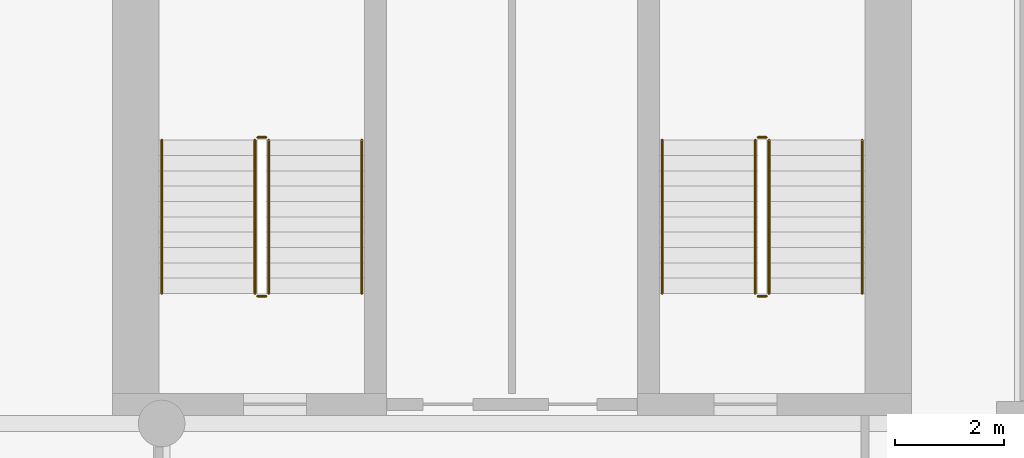
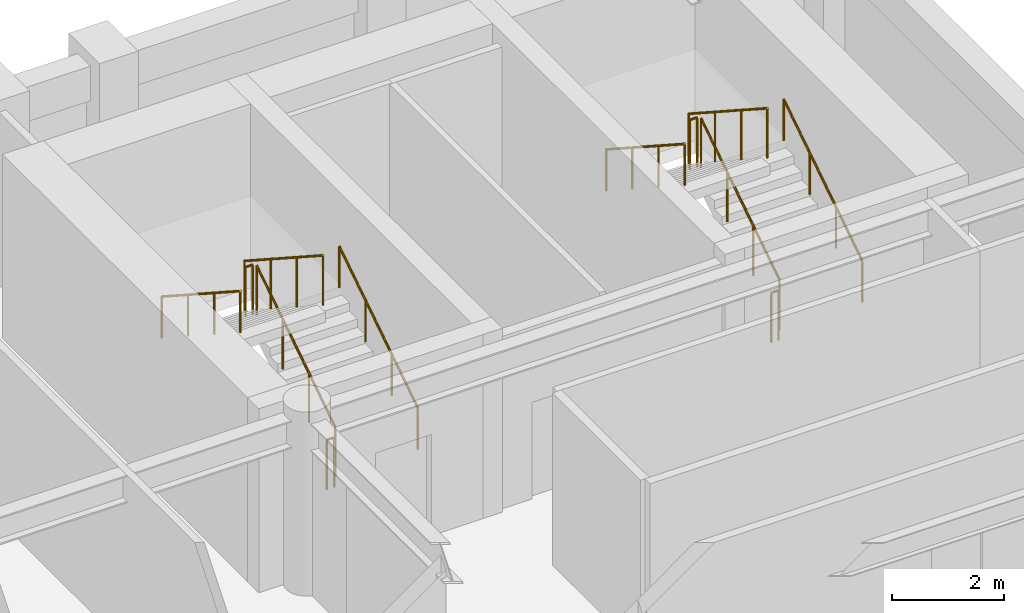
# One storey, part 8 of 8: 12 railings.
"""IFC4 building model written with IfcOpenShell, lengths in metres."""

from ifc_helpers import new_model, si_unit, direction, frame, origin, origin_2d, place, context, subcontext, project, spatial, circle, extrude, material, type_object, element, save


model = new_model("IFC4")

# Units and contexts
model_context = context("Model", 3, precision=1e-05, world=origin(), true_north=direction((0.0, 1.0)))
body_context = subcontext(model_context, "Body", "Model", "MODEL_VIEW")
ifc_project = project(units=[si_unit("LENGTHUNIT", "METRE"), si_unit("AREAUNIT", "SQUARE_METRE"), si_unit("VOLUMEUNIT", "CUBIC_METRE"), si_unit("PLANEANGLEUNIT", "RADIAN"), si_unit("MASSUNIT", "GRAM", prefix="KILO")], contexts=[model_context])

# Site, building, storey
site_placement = place(None, origin())
site = spatial("IfcSite", under=ifc_project, at=site_placement, CompositionType="ELEMENT")
building_placement = place(site_placement, origin())
building = spatial("IfcBuilding", under=site, at=building_placement, Name="Sulina Concourse Tower", CompositionType="ELEMENT")
storey_placement = place(building_placement, frame((0.0, 0.0, 178.60009765625)))
storey = spatial("IfcBuildingStorey", under=building, at=storey_placement, Name="L43", CompositionType="ELEMENT", Elevation=178.60009765625)

# Railings
ifc_material_1 = material(Name="Galvanised steel railing", Category="steel")
railing_type_1 = type_object("IfcRailingType", Name="Core Stair Steel Guardrail 1150mm", PredefinedType="GUARDRAIL", material=ifc_material_1)
railing_1_placement = place(storey_placement, frame((43.554931640625, 36.375, 0.181640625)))
element("IfcRailing", 1, at=railing_1_placement, inside=storey, type_object=railing_type_1, Name="L43 ST-3 stair guard 1", PredefinedType="GUARDRAIL", context=body_context, shape_type="SweptSolid", body=[
    extrude(circle(Radius=0.02392578125, at=origin_2d()), frame((0.0, 0.0, 1.076171875), z_axis=(0.0, 0.838672427954, 0.544636170843), x_axis=(-1.0, 0.0, 0.0)), (0.0, 0.0, 1.0), 3.338623046875),
    extrude(circle(Radius=0.02099609375, at=origin_2d()), origin(), (0.0, 0.0, 1.0), 1.052001953125),
    extrude(circle(Radius=0.02099609375, at=origin_2d()), frame((0.0, 0.933349609375, 0.606201171875)), (0.0, 0.0, 1.0), 1.052001953125),
    extrude(circle(Radius=0.02099609375, at=origin_2d()), frame((0.0, 1.86669921875, 1.212158203125)), (0.0, 0.0, 1.0), 1.052001953125),
    extrude(circle(Radius=0.02099609375, at=origin_2d()), frame((0.0, 2.800048828125, 1.818359375)), (0.0, 0.0, 1.0), 1.052001953125),
])
railing_2_placement = place(storey_placement, frame((43.5048828125, 39.22509765625, 2.0)))
element("IfcRailing", 2, at=railing_2_placement, inside=storey, type_object=railing_type_1, Name="L43 ST-3 stair guard 2", PredefinedType="GUARDRAIL", context=body_context, shape_type="SweptSolid", body=[
    extrude(circle(Radius=0.02392578125, at=origin_2d()), frame((0.0, 0.0, 1.076171875), z_axis=(-1.0, 0.0, 0.0), x_axis=(0.0, -1.0, 0.0)), (0.0, 0.0, 1.0), 0.14990234375),
    extrude(circle(Radius=0.02099609375, at=origin_2d()), origin(), (0.0, 0.0, 1.0), 1.052001953125),
    extrude(circle(Radius=0.02099609375, at=origin_2d()), frame((-0.14990234375, 0.0, 0.0)), (0.0, 0.0, 1.0), 1.052001953125),
])
railing_3_placement = place(storey_placement, frame((43.304931640625, 39.175048828125, 2.181640625)))
element("IfcRailing", 3, at=railing_3_placement, inside=storey, type_object=railing_type_1, Name="L43 ST-3 stair guard 3", PredefinedType="GUARDRAIL", context=body_context, shape_type="SweptSolid", body=[
    extrude(circle(Radius=0.02392578125, at=origin_2d()), frame((0.0, 0.0, 1.076171875), z_axis=(0.0, -0.838672427954, 0.544636170843), x_axis=(1.0, 0.0, 0.0)), (0.0, 0.0, 1.0), 3.338623046875),
    extrude(circle(Radius=0.02099609375, at=origin_2d()), origin(), (0.0, 0.0, 1.0), 1.052001953125),
    extrude(circle(Radius=0.02099609375, at=origin_2d()), frame((0.0, -0.933349609375, 0.606201171875)), (0.0, 0.0, 1.0), 1.052001953125),
    extrude(circle(Radius=0.02099609375, at=origin_2d()), frame((0.0, -1.86669921875, 1.212158203125)), (0.0, 0.0, 1.0), 1.052001953125),
    extrude(circle(Radius=0.02099609375, at=origin_2d()), frame((0.0, -2.800048828125, 1.818359375)), (0.0, 0.0, 1.0), 1.052001953125),
])
railing_4_placement = place(storey_placement, frame((43.5048828125, 36.324951171875, 0.0)))
element("IfcRailing", 4, at=railing_4_placement, inside=storey, type_object=railing_type_1, Name="L43 ST-3 stair guard 4", PredefinedType="GUARDRAIL", context=body_context, shape_type="SweptSolid", body=[
    extrude(circle(Radius=0.02392578125, at=origin_2d()), frame((0.0, 0.0, 1.076171875), z_axis=(-1.0, 0.0, 0.0), x_axis=(0.0, -1.0, 0.0)), (0.0, 0.0, 1.0), 0.14990234375),
    extrude(circle(Radius=0.02099609375, at=origin_2d()), origin(), (0.0, 0.0, 1.0), 1.052001953125),
    extrude(circle(Radius=0.02099609375, at=origin_2d()), frame((-0.14990234375, 0.0, 0.0)), (0.0, 0.0, 1.0), 1.052001953125),
])
railing_5_placement = place(storey_placement, frame((52.695068359375, 36.375, 0.181640625)))
element("IfcRailing", 5, at=railing_5_placement, inside=storey, type_object=railing_type_1, Name="L43 ST-4 stair guard 1", PredefinedType="GUARDRAIL", context=body_context, shape_type="SweptSolid", body=[
    extrude(circle(Radius=0.02392578125, at=origin_2d()), frame((0.0, 0.0, 1.076171875), z_axis=(0.0, 0.838672427954, 0.544636170843), x_axis=(-1.0, 0.0, 0.0)), (0.0, 0.0, 1.0), 3.338623046875),
    extrude(circle(Radius=0.02099609375, at=origin_2d()), origin(), (0.0, 0.0, 1.0), 1.052001953125),
    extrude(circle(Radius=0.02099609375, at=origin_2d()), frame((0.0, 0.933349609375, 0.606201171875)), (0.0, 0.0, 1.0), 1.052001953125),
    extrude(circle(Radius=0.02099609375, at=origin_2d()), frame((0.0, 1.86669921875, 1.212158203125)), (0.0, 0.0, 1.0), 1.052001953125),
    extrude(circle(Radius=0.02099609375, at=origin_2d()), frame((0.0, 2.800048828125, 1.818359375)), (0.0, 0.0, 1.0), 1.052001953125),
])
railing_6_placement = place(storey_placement, frame((52.64501953125, 39.22509765625, 2.0)))
element("IfcRailing", 6, at=railing_6_placement, inside=storey, type_object=railing_type_1, Name="L43 ST-4 stair guard 2", PredefinedType="GUARDRAIL", context=body_context, shape_type="SweptSolid", body=[
    extrude(circle(Radius=0.02392578125, at=origin_2d()), frame((0.0, 0.0, 1.076171875), z_axis=(-1.0, 0.0, 0.0), x_axis=(0.0, -1.0, 0.0)), (0.0, 0.0, 1.0), 0.14990234375),
    extrude(circle(Radius=0.02099609375, at=origin_2d()), origin(), (0.0, 0.0, 1.0), 1.052001953125),
    extrude(circle(Radius=0.02099609375, at=origin_2d()), frame((-0.14990234375, 0.0, 0.0)), (0.0, 0.0, 1.0), 1.052001953125),
])
railing_7_placement = place(storey_placement, frame((52.445068359375, 39.175048828125, 2.181640625)))
element("IfcRailing", 7, at=railing_7_placement, inside=storey, type_object=railing_type_1, Name="L43 ST-4 stair guard 3", PredefinedType="GUARDRAIL", context=body_context, shape_type="SweptSolid", body=[
    extrude(circle(Radius=0.02392578125, at=origin_2d()), frame((0.0, 0.0, 1.076171875), z_axis=(0.0, -0.838672427954, 0.544636170843), x_axis=(1.0, 0.0, 0.0)), (0.0, 0.0, 1.0), 3.338623046875),
    extrude(circle(Radius=0.02099609375, at=origin_2d()), origin(), (0.0, 0.0, 1.0), 1.052001953125),
    extrude(circle(Radius=0.02099609375, at=origin_2d()), frame((0.0, -0.933349609375, 0.606201171875)), (0.0, 0.0, 1.0), 1.052001953125),
    extrude(circle(Radius=0.02099609375, at=origin_2d()), frame((0.0, -1.86669921875, 1.212158203125)), (0.0, 0.0, 1.0), 1.052001953125),
    extrude(circle(Radius=0.02099609375, at=origin_2d()), frame((0.0, -2.800048828125, 1.818359375)), (0.0, 0.0, 1.0), 1.052001953125),
])
railing_8_placement = place(storey_placement, frame((52.64501953125, 36.324951171875, 0.0)))
element("IfcRailing", 8, at=railing_8_placement, inside=storey, type_object=railing_type_1, Name="L43 ST-4 stair guard 4", PredefinedType="GUARDRAIL", context=body_context, shape_type="SweptSolid", body=[
    extrude(circle(Radius=0.02392578125, at=origin_2d()), frame((0.0, 0.0, 1.076171875), z_axis=(-1.0, 0.0, 0.0), x_axis=(0.0, -1.0, 0.0)), (0.0, 0.0, 1.0), 0.14990234375),
    extrude(circle(Radius=0.02099609375, at=origin_2d()), origin(), (0.0, 0.0, 1.0), 1.052001953125),
    extrude(circle(Radius=0.02099609375, at=origin_2d()), frame((-0.14990234375, 0.0, 0.0)), (0.0, 0.0, 1.0), 1.052001953125),
])
ifc_material_2 = material(Name="Galvanised steel railing", Category="steel")
railing_type_2 = type_object("IfcRailingType", Name="Stair Wall Steel Handrail 920mm", PredefinedType="HANDRAIL", material=ifc_material_2)
railing_9_placement = place(storey_placement, frame((45.2548828125, 36.375, 0.181640625)))
element("IfcRailing", 9, at=railing_9_placement, inside=storey, type_object=railing_type_2, Name="L43 ST-3 stair handrail 1", PredefinedType="HANDRAIL", context=body_context, shape_type="SweptSolid", body=[
    extrude(circle(Radius=0.02392578125, at=origin_2d()), frame((0.0, 0.0, 0.89599609375), z_axis=(0.0, 0.838672427954, 0.544636170843), x_axis=(-1.0, 0.0, 0.0)), (0.0, 0.0, 1.0), 3.338623046875),
    extrude(circle(Radius=0.02099609375, at=origin_2d()), origin(), (0.0, 0.0, 1.0), 0.871826171875),
    extrude(circle(Radius=0.02099609375, at=origin_2d()), frame((0.0, 0.933349609375, 0.606201171875)), (0.0, 0.0, 1.0), 0.871826171875),
    extrude(circle(Radius=0.02099609375, at=origin_2d()), frame((0.0, 1.86669921875, 1.212158203125)), (0.0, 0.0, 1.0), 0.871826171875),
    extrude(circle(Radius=0.02099609375, at=origin_2d()), frame((0.0, 2.800048828125, 1.818359375)), (0.0, 0.0, 1.0), 0.871826171875),
])
railing_10_placement = place(storey_placement, frame((41.60498046875, 39.175048828125, 2.181640625)))
element("IfcRailing", 10, at=railing_10_placement, inside=storey, type_object=railing_type_2, Name="L43 ST-3 stair handrail 2", PredefinedType="HANDRAIL", context=body_context, shape_type="SweptSolid", body=[
    extrude(circle(Radius=0.02392578125, at=origin_2d()), frame((0.0, 0.0, 0.89599609375), z_axis=(0.0, -0.838672427954, 0.544636170843), x_axis=(1.0, 0.0, 0.0)), (0.0, 0.0, 1.0), 3.338623046875),
    extrude(circle(Radius=0.02099609375, at=origin_2d()), origin(), (0.0, 0.0, 1.0), 0.871826171875),
    extrude(circle(Radius=0.02099609375, at=origin_2d()), frame((0.0, -0.933349609375, 0.606201171875)), (0.0, 0.0, 1.0), 0.871826171875),
    extrude(circle(Radius=0.02099609375, at=origin_2d()), frame((0.0, -1.86669921875, 1.212158203125)), (0.0, 0.0, 1.0), 0.871826171875),
    extrude(circle(Radius=0.02099609375, at=origin_2d()), frame((0.0, -2.800048828125, 1.818359375)), (0.0, 0.0, 1.0), 0.871826171875),
])
railing_11_placement = place(storey_placement, frame((54.39501953125, 36.375, 0.181640625)))
element("IfcRailing", 11, at=railing_11_placement, inside=storey, type_object=railing_type_2, Name="L43 ST-4 stair handrail 1", PredefinedType="HANDRAIL", context=body_context, shape_type="SweptSolid", body=[
    extrude(circle(Radius=0.02392578125, at=origin_2d()), frame((0.0, 0.0, 0.89599609375), z_axis=(0.0, 0.838672427954, 0.544636170843), x_axis=(-1.0, 0.0, 0.0)), (0.0, 0.0, 1.0), 3.338623046875),
    extrude(circle(Radius=0.02099609375, at=origin_2d()), origin(), (0.0, 0.0, 1.0), 0.871826171875),
    extrude(circle(Radius=0.02099609375, at=origin_2d()), frame((0.0, 0.933349609375, 0.606201171875)), (0.0, 0.0, 1.0), 0.871826171875),
    extrude(circle(Radius=0.02099609375, at=origin_2d()), frame((0.0, 1.86669921875, 1.212158203125)), (0.0, 0.0, 1.0), 0.871826171875),
    extrude(circle(Radius=0.02099609375, at=origin_2d()), frame((0.0, 2.800048828125, 1.818359375)), (0.0, 0.0, 1.0), 0.871826171875),
])
railing_12_placement = place(storey_placement, frame((50.7451171875, 39.175048828125, 2.181640625)))
element("IfcRailing", 12, at=railing_12_placement, inside=storey, type_object=railing_type_2, Name="L43 ST-4 stair handrail 2", PredefinedType="HANDRAIL", context=body_context, shape_type="SweptSolid", body=[
    extrude(circle(Radius=0.02392578125, at=origin_2d()), frame((0.0, 0.0, 0.89599609375), z_axis=(0.0, -0.838672427954, 0.544636170843), x_axis=(1.0, 0.0, 0.0)), (0.0, 0.0, 1.0), 3.338623046875),
    extrude(circle(Radius=0.02099609375, at=origin_2d()), origin(), (0.0, 0.0, 1.0), 0.871826171875),
    extrude(circle(Radius=0.02099609375, at=origin_2d()), frame((0.0, -0.933349609375, 0.606201171875)), (0.0, 0.0, 1.0), 0.871826171875),
    extrude(circle(Radius=0.02099609375, at=origin_2d()), frame((0.0, -1.86669921875, 1.212158203125)), (0.0, 0.0, 1.0), 0.871826171875),
    extrude(circle(Radius=0.02099609375, at=origin_2d()), frame((0.0, -2.800048828125, 1.818359375)), (0.0, 0.0, 1.0), 0.871826171875),
])

save(model, "model.ifc")
